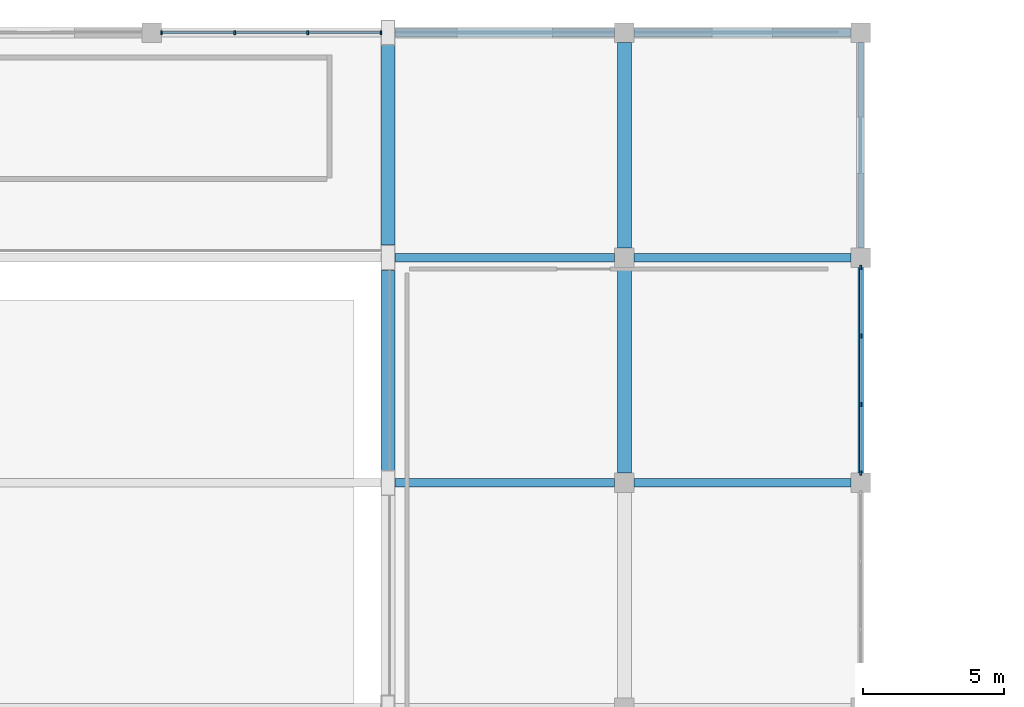
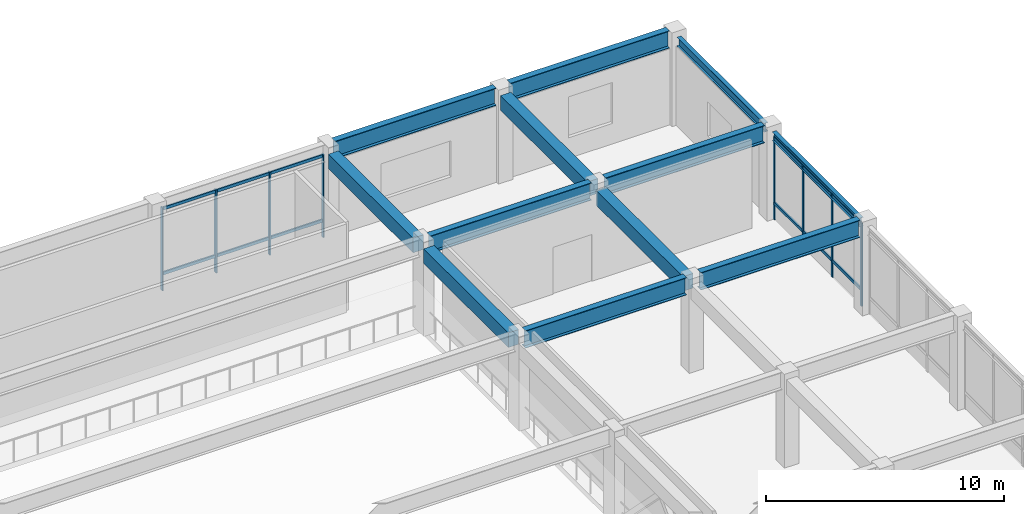
# One storey, part 40 of 76: 20 members, 12 beams, 2 elements without a shape of their own.
"""IFC4 building model written with IfcOpenShell, lengths in metres."""

from ifc_helpers import new_model, si_unit, direction, frame, origin, origin_2d, place, context, subcontext, project, spatial, rectangle, i_section, extrude, material, layer, layer_set, material_profile, profile_set, type_object, element, aggregate, save


model = new_model("IFC4")

# Units and contexts
model_context = context("Model", 3, precision=1e-05, world=origin(), true_north=direction((0.0, 1.0)))
body_context = subcontext(model_context, "Body", "Model", "MODEL_VIEW")
ifc_project = project(units=[si_unit("LENGTHUNIT", "METRE"), si_unit("AREAUNIT", "SQUARE_METRE"), si_unit("VOLUMEUNIT", "CUBIC_METRE"), si_unit("PLANEANGLEUNIT", "RADIAN"), si_unit("MASSUNIT", "GRAM", prefix="KILO")], contexts=[model_context])

# Site, building, storey
site_placement = place(None, origin())
site = spatial("IfcSite", under=ifc_project, at=site_placement, CompositionType="ELEMENT")
building_placement = place(site_placement, origin())
building = spatial("IfcBuilding", under=site, at=building_placement, Name="Naruveol Harbour Congress Hotel", CompositionType="ELEMENT")
storey_placement = place(building_placement, frame((0.0, 0.0, 11.39990234375)))
storey = spatial("IfcBuildingStorey", under=building, at=storey_placement, Name="L02", CompositionType="ELEMENT", Elevation=11.39990234375)

# Beams
ifc_material_1 = material(Name="Concrete C40/50", Category="concrete")
ifc_material_profile_1 = material_profile(ifc_material_1, rectangle(XDim=0.5, YDim=0.75, at=origin_2d()), Name="RCB-500x750")
ifc_profile_set_1 = profile_set([ifc_material_profile_1], Name="Concrete C40/50")
beam_type_1 = type_object("IfcBeamType", Name="RC FLOOR GIRDER 500X750", PredefinedType="BEAM", material=ifc_profile_set_1)
for number, where, z_axis, x_axis, name in (
    (1, (109.199951171875, 96.446044921875, 4.125), (0.0, 1.0, 0.0), (-1.0, 0.0, 0.0), "Transverse girder L03 CB3"),
    (2, (109.199951171875, 104.446044921875, 4.125), (0.0, 1.0, 0.0), (-1.0, 0.0, 0.0), "Transverse girder L03 CB3"),
):
    element("IfcBeam", number, at=place(storey_placement, frame(where, z_axis=z_axis, x_axis=x_axis)), inside=storey, type_object=beam_type_1, Name=name, PredefinedType="BEAM", context=body_context, shape_type="SweptSolid", body=[
        extrude(rectangle(XDim=0.5, YDim=0.75, at=origin_2d()), origin(), (0.0, 0.0, 1.0), 7.10791015625),
    ])
for number, where, z_axis, x_axis, name in (
    (3, (117.60009765625, 96.345947265625, 4.125), (0.0, 1.0, 0.0), (-1.0, 0.0, 0.0), "Transverse girder L03 CB3"),
    (4, (117.60009765625, 104.345947265625, 4.125), (0.0, 1.0, 0.0), (-1.0, 0.0, 0.0), "Transverse girder L03 CB3"),
):
    element("IfcBeam", number, at=place(storey_placement, frame(where, z_axis=z_axis, x_axis=x_axis)), inside=storey, type_object=beam_type_1, Name=name, PredefinedType="BEAM", context=body_context, shape_type="SweptSolid", body=[
        extrude(rectangle(XDim=0.5, YDim=0.75, at=origin_2d()), origin(), (0.0, 0.0, 1.0), 7.30810546875),
    ])
ifc_material_2 = material(Name="Steel SN490", Category="steel")
ifc_material_profile_2 = material_profile(ifc_material_2, i_section(OverallWidth=0.300048828125, OverallDepth=0.89990234375, WebThickness=0.01611328125, FlangeThickness=0.028076171875, at=origin_2d()), Name="H-900x300x16x28")
ifc_profile_set_2 = profile_set([ifc_material_profile_2], Name="Steel SN490")
beam_type_2 = type_object("IfcBeamType", Name="STEEL BALLROOM GABLE GIRDER H900", PredefinedType="BEAM", material=ifc_profile_set_2)
beam_1_placement = place(storey_placement, frame((109.446044921875, 96.0, 4.35009765625), z_axis=(1.0, 0.0, 0.0), x_axis=(0.0, 1.0, 0.0)))
element("IfcBeam", 5, at=beam_1_placement, inside=storey, type_object=beam_type_2, Name="Ballroom east gallery tie girder BG1", PredefinedType="BEAM", context=body_context, shape_type="SweptSolid", body=[
    extrude(i_section(OverallWidth=0.300048828125, OverallDepth=0.89990234375, WebThickness=0.01611328125, FlangeThickness=0.028076171875, at=origin_2d()), origin(), (0.0, 0.0, 1.0), 7.807861328125),
])
beam_2_placement = place(storey_placement, frame((117.946044921875, 96.0, 4.35009765625), z_axis=(1.0, 0.0, 0.0), x_axis=(0.0, 1.0, 0.0)))
element("IfcBeam", 6, at=beam_2_placement, inside=storey, type_object=beam_type_2, Name="Ballroom east bay tie girder BG1", PredefinedType="BEAM", context=body_context, shape_type="SweptSolid", body=[
    extrude(i_section(OverallWidth=0.300048828125, OverallDepth=0.89990234375, WebThickness=0.01611328125, FlangeThickness=0.028076171875, at=origin_2d()), origin(), (0.0, 0.0, 1.0), 7.7080078125),
])
beam_3_placement = place(storey_placement, frame((109.446044921875, 104.0, 4.35009765625), z_axis=(1.0, 0.0, 0.0), x_axis=(0.0, 1.0, 0.0)))
element("IfcBeam", 7, at=beam_3_placement, inside=storey, type_object=beam_type_2, Name="Ballroom east gallery tie girder BG1", PredefinedType="BEAM", context=body_context, shape_type="SweptSolid", body=[
    extrude(i_section(OverallWidth=0.300048828125, OverallDepth=0.89990234375, WebThickness=0.01611328125, FlangeThickness=0.028076171875, at=origin_2d()), origin(), (0.0, 0.0, 1.0), 7.807861328125),
])
beam_4_placement = place(storey_placement, frame((117.946044921875, 104.0, 4.35009765625), z_axis=(1.0, 0.0, 0.0), x_axis=(0.0, 1.0, 0.0)))
element("IfcBeam", 8, at=beam_4_placement, inside=storey, type_object=beam_type_2, Name="Ballroom east bay tie girder BG1", PredefinedType="BEAM", context=body_context, shape_type="SweptSolid", body=[
    extrude(i_section(OverallWidth=0.300048828125, OverallDepth=0.89990234375, WebThickness=0.01611328125, FlangeThickness=0.028076171875, at=origin_2d()), origin(), (0.0, 0.0, 1.0), 7.7080078125),
])
beam_5_placement = place(storey_placement, frame((109.446044921875, 112.0, 4.35009765625), z_axis=(1.0, 0.0, 0.0), x_axis=(0.0, 1.0, 0.0)))
element("IfcBeam", 9, at=beam_5_placement, inside=storey, type_object=beam_type_2, Name="Ballroom east gallery tie girder BG1", PredefinedType="BEAM", context=body_context, shape_type="SweptSolid", body=[
    extrude(i_section(OverallWidth=0.300048828125, OverallDepth=0.89990234375, WebThickness=0.01611328125, FlangeThickness=0.028076171875, at=origin_2d()), origin(), (0.0, 0.0, 1.0), 7.807861328125),
])
beam_6_placement = place(storey_placement, frame((117.946044921875, 112.0, 4.35009765625), z_axis=(1.0, 0.0, 0.0), x_axis=(0.0, 1.0, 0.0)))
element("IfcBeam", 10, at=beam_6_placement, inside=storey, type_object=beam_type_2, Name="Ballroom east bay tie girder BG1", PredefinedType="BEAM", context=body_context, shape_type="SweptSolid", body=[
    extrude(i_section(OverallWidth=0.300048828125, OverallDepth=0.89990234375, WebThickness=0.01611328125, FlangeThickness=0.028076171875, at=origin_2d()), origin(), (0.0, 0.0, 1.0), 7.7080078125),
])
ifc_material_3 = material(Name="Steel SN490", Category="steel")
ifc_material_profile_3 = material_profile(ifc_material_3, i_section(OverallWidth=0.199951171875, OverallDepth=0.449951171875, WebThickness=0.009033203125, FlangeThickness=0.013916015625, at=origin_2d()), Name="H-450x200x9x14")
ifc_profile_set_3 = profile_set([ifc_material_profile_3], Name="Steel SN490")
beam_type_3 = type_object("IfcBeamType", Name="STEEL SPANDREL EDGE BEAM H450", PredefinedType="SPANDREL", material=ifc_profile_set_3)
for number, where, z_axis, x_axis, name in (
    (11, (126.0, 96.345947265625, 4.275146484375), (0.0, 1.0, 0.0), (-1.0, 0.0, 0.0), "Transverse girder L03 SPB2"),
    (12, (126.0, 104.345947265625, 4.275146484375), (0.0, 1.0, 0.0), (-1.0, 0.0, 0.0), "Transverse girder L03 SPB2"),
):
    element("IfcBeam", number, at=place(storey_placement, frame(where, z_axis=z_axis, x_axis=x_axis)), inside=storey, type_object=beam_type_3, Name=name, PredefinedType="SPANDREL", context=body_context, shape_type="SweptSolid", body=[
        extrude(i_section(OverallWidth=0.199951171875, OverallDepth=0.449951171875, WebThickness=0.009033203125, FlangeThickness=0.013916015625, at=origin_2d()), origin(), (0.0, 0.0, 1.0), 7.30810546875),
    ])

# Curtain wall, members
ifc_material_4 = material(Name="Low-E Curtain Wall System", Category="glass")
ifc_layer_1 = layer(ifc_material_4, 0.179931640625)
ifc_layer_set_1 = layer_set([ifc_layer_1], Name="Low-E Curtain Wall System")
curtain_wall_type_1 = type_object("IfcCurtainWallType", Name="UNITISED CURTAIN WALL CW-V2N-23 7800X4250", PredefinedType="USERDEFINED", material=ifc_layer_set_1)
curtain_wall_1_placement = place(storey_placement, origin())
curtain_wall_1 = element("IfcCurtainWall", 13, at=curtain_wall_1_placement, inside=storey, type_object=curtain_wall_type_1, Name="Unitised curtain wall CW-V2N-23 L02", ObjectType="UNITISED GLAZING", PredefinedType="USERDEFINED")
ifc_material_5 = material(Name="Anodised Aluminium 6063-T6", Category="aluminium")
ifc_material_profile_4 = material_profile(ifc_material_5, rectangle(XDim=0.06494140625, YDim=0.14990234375, at=origin_2d()), Name="ALU-65x150")
ifc_profile_set_4 = profile_set([ifc_material_profile_4], Name="Anodised Aluminium 6063-T6")
member_type_1 = type_object("IfcMemberType", Name="THERMAL ALUMINIUM MULLION 65X150", PredefinedType="MULLION", material=ifc_profile_set_4)
member_1_placement = place(storey_placement, frame((101.14990234375, 112.0, 0.0), z_axis=(0.0, 0.0, 1.0), x_axis=(1.0, 0.0, 0.0)))
member_1 = element("IfcMember", 14, at=member_1_placement, type_object=member_type_1, Name="Curtain wall mullion CW-L02-0048-M0", PredefinedType="MULLION", context=body_context, shape_type="SweptSolid", body=[
    extrude(rectangle(XDim=0.06494140625, YDim=0.14990234375, at=origin_2d()), origin(), (0.0, 0.0, 1.0), 4.25),
])
member_2_placement = place(storey_placement, frame((103.75, 112.0, 0.0), z_axis=(0.0, 0.0, 1.0), x_axis=(1.0, 0.0, 0.0)))
member_2 = element("IfcMember", 15, at=member_2_placement, type_object=member_type_1, Name="Curtain wall mullion CW-L02-0048-M1", PredefinedType="MULLION", context=body_context, shape_type="SweptSolid", body=[
    extrude(rectangle(XDim=0.06494140625, YDim=0.14990234375, at=origin_2d()), origin(), (0.0, 0.0, 1.0), 4.25),
])
member_3_placement = place(storey_placement, frame((106.35009765625, 112.0, 0.0), z_axis=(0.0, 0.0, 1.0), x_axis=(1.0, 0.0, 0.0)))
member_3 = element("IfcMember", 16, at=member_3_placement, type_object=member_type_1, Name="Curtain wall mullion CW-L02-0048-M2", PredefinedType="MULLION", context=body_context, shape_type="SweptSolid", body=[
    extrude(rectangle(XDim=0.06494140625, YDim=0.14990234375, at=origin_2d()), origin(), (0.0, 0.0, 1.0), 4.25),
])
member_4_placement = place(storey_placement, frame((108.949951171875, 112.0, 0.0), z_axis=(0.0, 0.0, 1.0), x_axis=(1.0, 0.0, 0.0)))
member_4 = element("IfcMember", 17, at=member_4_placement, type_object=member_type_1, Name="Curtain wall mullion CW-L02-0048-M3", PredefinedType="MULLION", context=body_context, shape_type="SweptSolid", body=[
    extrude(rectangle(XDim=0.06494140625, YDim=0.14990234375, at=origin_2d()), origin(), (0.0, 0.0, 1.0), 4.25),
])

ifc_material_6 = material(Name="Low-E Curtain Wall System", Category="glass")
ifc_layer_2 = layer(ifc_material_6, 0.179931640625)
ifc_layer_set_2 = layer_set([ifc_layer_2], Name="Low-E Curtain Wall System")
curtain_wall_type_2 = type_object("IfcCurtainWallType", Name="UNITISED CURTAIN WALL CW-V2E-24 7300X4250", PredefinedType="USERDEFINED", material=ifc_layer_set_2)
curtain_wall_2_placement = place(storey_placement, origin())
curtain_wall_2 = element("IfcCurtainWall", 18, at=curtain_wall_2_placement, inside=storey, type_object=curtain_wall_type_2, Name="Unitised curtain wall CW-V2E-24 L02", ObjectType="UNITISED GLAZING", PredefinedType="USERDEFINED")
member_5_placement = place(storey_placement, frame((126.0, 103.64990234375, 0.0), z_axis=(0.0, 0.0, 1.0), x_axis=(1.0, 0.0, 0.0)))
member_5 = element("IfcMember", 19, at=member_5_placement, type_object=member_type_1, Name="Curtain wall mullion CW-L02-0051-M0", PredefinedType="MULLION", context=body_context, shape_type="SweptSolid", body=[
    extrude(rectangle(XDim=0.06494140625, YDim=0.14990234375, at=origin_2d()), origin(), (0.0, 0.0, 1.0), 4.25),
])
member_6_placement = place(storey_placement, frame((126.0, 101.216796875, 0.0), z_axis=(0.0, 0.0, 1.0), x_axis=(1.0, 0.0, 0.0)))
member_6 = element("IfcMember", 20, at=member_6_placement, type_object=member_type_1, Name="Curtain wall mullion CW-L02-0051-M1", PredefinedType="MULLION", context=body_context, shape_type="SweptSolid", body=[
    extrude(rectangle(XDim=0.06494140625, YDim=0.14990234375, at=origin_2d()), origin(), (0.0, 0.0, 1.0), 4.25),
])
member_7_placement = place(storey_placement, frame((126.0, 98.783203125, 0.0), z_axis=(0.0, 0.0, 1.0), x_axis=(1.0, 0.0, 0.0)))
member_7 = element("IfcMember", 21, at=member_7_placement, type_object=member_type_1, Name="Curtain wall mullion CW-L02-0051-M2", PredefinedType="MULLION", context=body_context, shape_type="SweptSolid", body=[
    extrude(rectangle(XDim=0.06494140625, YDim=0.14990234375, at=origin_2d()), origin(), (0.0, 0.0, 1.0), 4.25),
])
member_8_placement = place(storey_placement, frame((126.0, 96.35009765625, 0.0), z_axis=(0.0, 0.0, 1.0), x_axis=(1.0, 0.0, 0.0)))
member_8 = element("IfcMember", 22, at=member_8_placement, type_object=member_type_1, Name="Curtain wall mullion CW-L02-0051-M3", PredefinedType="MULLION", context=body_context, shape_type="SweptSolid", body=[
    extrude(rectangle(XDim=0.06494140625, YDim=0.14990234375, at=origin_2d()), origin(), (0.0, 0.0, 1.0), 4.25),
])

# Member
ifc_material_7 = material(Name="Anodised Aluminium 6063-T6", Category="aluminium")
ifc_material_profile_5 = material_profile(ifc_material_7, rectangle(XDim=0.074951171875, YDim=0.14990234375, at=origin_2d()), Name="ALU-75x150")
ifc_profile_set_5 = profile_set([ifc_material_profile_5], Name="Anodised Aluminium 6063-T6")
member_type_2 = type_object("IfcMemberType", Name="THERMAL ALUMINIUM TRANSOM 75X150", PredefinedType="USERDEFINED", material=ifc_profile_set_5)
member_9_placement = place(storey_placement, frame((101.18994140625, 112.0, 0.85009765625), z_axis=(1.0, 0.0, 0.0), x_axis=(0.0, 1.0, 0.0)))
member_9 = element("IfcMember", 23, at=member_9_placement, type_object=member_type_2, Name="Curtain wall transom CW-L02-0048-T0.1", ObjectType="TRANSOM", PredefinedType="USERDEFINED", context=body_context, shape_type="SweptSolid", body=[
    extrude(rectangle(XDim=0.074951171875, YDim=0.14990234375, at=origin_2d()), origin(), (0.0, 0.0, 1.0), 2.52001953125),
])

member_10_placement = place(storey_placement, frame((101.18994140625, 112.0, 4.170166015625), z_axis=(1.0, 0.0, 0.0), x_axis=(0.0, 1.0, 0.0)))
member_10 = element("IfcMember", 24, at=member_10_placement, type_object=member_type_2, Name="Curtain wall transom CW-L02-0048-T0.2", ObjectType="TRANSOM", PredefinedType="USERDEFINED", context=body_context, shape_type="SweptSolid", body=[
    extrude(rectangle(XDim=0.074951171875, YDim=0.14990234375, at=origin_2d()), origin(), (0.0, 0.0, 1.0), 2.52001953125),
])

member_11_placement = place(storey_placement, frame((103.7900390625, 112.0, 0.85009765625), z_axis=(1.0, 0.0, 0.0), x_axis=(0.0, 1.0, 0.0)))
member_11 = element("IfcMember", 25, at=member_11_placement, type_object=member_type_2, Name="Curtain wall transom CW-L02-0048-T1.1", ObjectType="TRANSOM", PredefinedType="USERDEFINED", context=body_context, shape_type="SweptSolid", body=[
    extrude(rectangle(XDim=0.074951171875, YDim=0.14990234375, at=origin_2d()), origin(), (0.0, 0.0, 1.0), 2.52001953125),
])

member_12_placement = place(storey_placement, frame((103.7900390625, 112.0, 4.170166015625), z_axis=(1.0, 0.0, 0.0), x_axis=(0.0, 1.0, 0.0)))
member_12 = element("IfcMember", 26, at=member_12_placement, type_object=member_type_2, Name="Curtain wall transom CW-L02-0048-T1.2", ObjectType="TRANSOM", PredefinedType="USERDEFINED", context=body_context, shape_type="SweptSolid", body=[
    extrude(rectangle(XDim=0.074951171875, YDim=0.14990234375, at=origin_2d()), origin(), (0.0, 0.0, 1.0), 2.52001953125),
])

member_13_placement = place(storey_placement, frame((106.389892578125, 112.0, 0.85009765625), z_axis=(1.0, 0.0, 0.0), x_axis=(0.0, 1.0, 0.0)))
member_13 = element("IfcMember", 27, at=member_13_placement, type_object=member_type_2, Name="Curtain wall transom CW-L02-0048-T2.1", ObjectType="TRANSOM", PredefinedType="USERDEFINED", context=body_context, shape_type="SweptSolid", body=[
    extrude(rectangle(XDim=0.074951171875, YDim=0.14990234375, at=origin_2d()), origin(), (0.0, 0.0, 1.0), 2.52001953125),
])

member_14_placement = place(storey_placement, frame((106.389892578125, 112.0, 4.170166015625), z_axis=(1.0, 0.0, 0.0), x_axis=(0.0, 1.0, 0.0)))
member_14 = element("IfcMember", 28, at=member_14_placement, type_object=member_type_2, Name="Curtain wall transom CW-L02-0048-T2.2", ObjectType="TRANSOM", PredefinedType="USERDEFINED", context=body_context, shape_type="SweptSolid", body=[
    extrude(rectangle(XDim=0.074951171875, YDim=0.14990234375, at=origin_2d()), origin(), (0.0, 0.0, 1.0), 2.52001953125),
])

aggregate(curtain_wall_1, [member_1, member_2, member_3, member_4, member_9, member_10, member_11, member_12, member_13, member_14])

member_15_placement = place(storey_placement, frame((126.0, 103.610107421875, 0.85009765625), z_axis=(0.0, -1.0, 0.0), x_axis=(1.0, 0.0, 0.0)))
member_15 = element("IfcMember", 29, at=member_15_placement, type_object=member_type_2, Name="Curtain wall transom CW-L02-0051-T0.1", ObjectType="TRANSOM", PredefinedType="USERDEFINED", context=body_context, shape_type="SweptSolid", body=[
    extrude(rectangle(XDim=0.074951171875, YDim=0.14990234375, at=origin_2d()), origin(), (0.0, 0.0, 1.0), 2.353515625),
])

member_16_placement = place(storey_placement, frame((126.0, 103.610107421875, 4.170166015625), z_axis=(0.0, -1.0, 0.0), x_axis=(1.0, 0.0, 0.0)))
member_16 = element("IfcMember", 30, at=member_16_placement, type_object=member_type_2, Name="Curtain wall transom CW-L02-0051-T0.2", ObjectType="TRANSOM", PredefinedType="USERDEFINED", context=body_context, shape_type="SweptSolid", body=[
    extrude(rectangle(XDim=0.074951171875, YDim=0.14990234375, at=origin_2d()), origin(), (0.0, 0.0, 1.0), 2.353515625),
])

member_17_placement = place(storey_placement, frame((126.0, 101.1767578125, 0.85009765625), z_axis=(0.0, -1.0, 0.0), x_axis=(1.0, 0.0, 0.0)))
member_17 = element("IfcMember", 31, at=member_17_placement, type_object=member_type_2, Name="Curtain wall transom CW-L02-0051-T1.1", ObjectType="TRANSOM", PredefinedType="USERDEFINED", context=body_context, shape_type="SweptSolid", body=[
    extrude(rectangle(XDim=0.074951171875, YDim=0.14990234375, at=origin_2d()), origin(), (0.0, 0.0, 1.0), 2.353515625),
])

member_18_placement = place(storey_placement, frame((126.0, 101.1767578125, 4.170166015625), z_axis=(0.0, -1.0, 0.0), x_axis=(1.0, 0.0, 0.0)))
member_18 = element("IfcMember", 32, at=member_18_placement, type_object=member_type_2, Name="Curtain wall transom CW-L02-0051-T1.2", ObjectType="TRANSOM", PredefinedType="USERDEFINED", context=body_context, shape_type="SweptSolid", body=[
    extrude(rectangle(XDim=0.074951171875, YDim=0.14990234375, at=origin_2d()), origin(), (0.0, 0.0, 1.0), 2.353515625),
])

member_19_placement = place(storey_placement, frame((126.0, 98.743408203125, 0.85009765625), z_axis=(0.0, -1.0, 0.0), x_axis=(1.0, 0.0, 0.0)))
member_19 = element("IfcMember", 33, at=member_19_placement, type_object=member_type_2, Name="Curtain wall transom CW-L02-0051-T2.1", ObjectType="TRANSOM", PredefinedType="USERDEFINED", context=body_context, shape_type="SweptSolid", body=[
    extrude(rectangle(XDim=0.074951171875, YDim=0.14990234375, at=origin_2d()), origin(), (0.0, 0.0, 1.0), 2.353515625),
])

member_20_placement = place(storey_placement, frame((126.0, 98.743408203125, 4.170166015625), z_axis=(0.0, -1.0, 0.0), x_axis=(1.0, 0.0, 0.0)))
member_20 = element("IfcMember", 34, at=member_20_placement, type_object=member_type_2, Name="Curtain wall transom CW-L02-0051-T2.2", ObjectType="TRANSOM", PredefinedType="USERDEFINED", context=body_context, shape_type="SweptSolid", body=[
    extrude(rectangle(XDim=0.074951171875, YDim=0.14990234375, at=origin_2d()), origin(), (0.0, 0.0, 1.0), 2.353515625),
])

aggregate(curtain_wall_2, [member_5, member_6, member_7, member_8, member_15, member_16, member_17, member_18, member_19, member_20])

save(model, "model.ifc")
